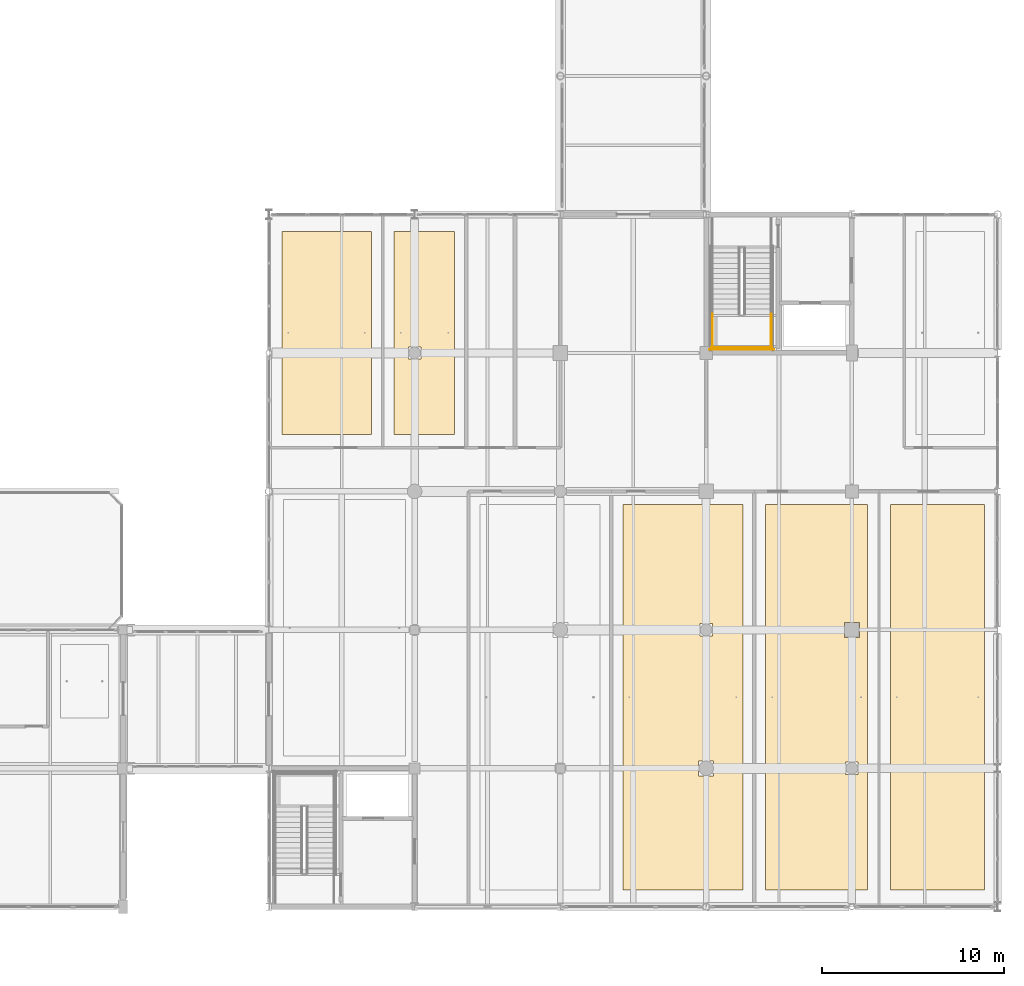
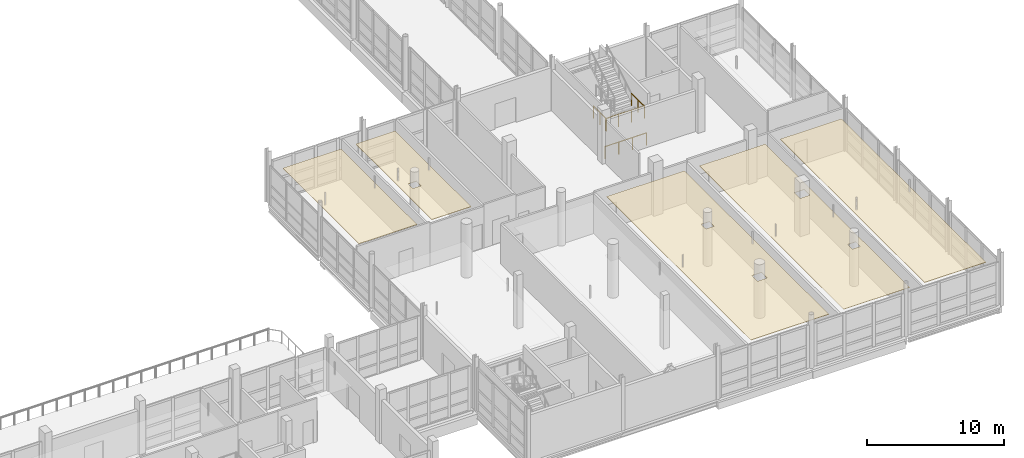
# One storey, part 143 of 147: 5 coverings, 4 railings.
"""IFC4 building model written with IfcOpenShell, lengths in metres."""

from ifc_helpers import new_model, si_unit, direction, frame, origin, origin_2d, place, context, subcontext, project, spatial, polyline, circle, outline, extrude, material, layer, layer_set, type_object, element, save


model = new_model("IFC4")

# Units and contexts
model_context = context("Model", 3, precision=1e-05, world=origin(), true_north=direction((0.0, 1.0)))
body_context = subcontext(model_context, "Body", "Model", "MODEL_VIEW")
ifc_project = project(units=[si_unit("LENGTHUNIT", "METRE"), si_unit("AREAUNIT", "SQUARE_METRE"), si_unit("VOLUMEUNIT", "CUBIC_METRE"), si_unit("PLANEANGLEUNIT", "RADIAN"), si_unit("MASSUNIT", "GRAM", prefix="KILO")], contexts=[model_context])

# Site, building, storey
site_placement = place(None, origin())
site = spatial("IfcSite", under=ifc_project, at=site_placement, CompositionType="ELEMENT")
building_placement = place(site_placement, origin())
building = spatial("IfcBuilding", under=site, at=building_placement, Name="Khelvaren Railside Concert Hall", CompositionType="ELEMENT")
storey_placement = place(building_placement, frame((0.0, 0.0, 5.39990234375)))
storey = spatial("IfcBuildingStorey", under=building, at=storey_placement, Name="L01", CompositionType="ELEMENT", Elevation=5.39990234375)

# Coverings
ifc_material_1 = material(Name="Mineral-wool acoustic baffle ceiling", Category="gypsum")
ifc_layer_1 = layer(ifc_material_1, 0.0400390625)
ifc_layer_set_1 = layer_set([ifc_layer_1], Name="Mineral-wool acoustic baffle ceiling")
covering_type_1 = type_object("IfcCoveringType", Name="CLG20", PredefinedType="CEILING", material=ifc_layer_set_1)
covering_1_placement = place(storey_placement, frame((0.0, 0.0, 3.41015625)))
element("IfcCovering", 1, at=covering_1_placement, inside=storey, type_object=covering_type_1, Name="Suspended Acoustic Ceiling Live Foley and Dubbing Studio", PredefinedType="CEILING", context=body_context, shape_type="SweptSolid", body=[
    extrude(outline(polyline([(163.426025390625, 0.929931640625), (170.011962890625, 0.929931640625), (170.011962890625, 22.070068359375), (163.426025390625, 22.070068359375), (163.426025390625, 0.929931640625)]), holes=[polyline([(167.5849609375, 7.18505859375), (168.4150390625, 7.18505859375), (168.4150390625, 8.014892578125), (167.5849609375, 8.014892578125), (167.5849609375, 7.18505859375)]), polyline([(167.659912109375, 14.860107421875), (168.340087890625, 14.860107421875), (168.340087890625, 15.5400390625), (167.659912109375, 15.5400390625), (167.659912109375, 14.860107421875)])]), origin(), (0.0, 0.0, 1.0), 0.0400390625),
])
covering_2_placement = place(storey_placement, frame((0.0, 0.0, 3.41015625)))
element("IfcCovering", 2, at=covering_2_placement, inside=storey, type_object=covering_type_1, Name="Suspended Acoustic Ceiling Recording Engineers Lounge", PredefinedType="CEILING", context=body_context, shape_type="SweptSolid", body=[
    extrude(outline(polyline([(178.112060546875, 0.929931640625), (183.2900390625, 0.929931640625), (183.2900390625, 22.070068359375), (178.112060546875, 22.070068359375), (178.112060546875, 0.929931640625)])), origin(), (0.0, 0.0, 1.0), 0.0400390625),
])
covering_3_placement = place(storey_placement, frame((0.0, 0.0, 3.41015625)))
element("IfcCovering", 3, at=covering_3_placement, inside=storey, type_object=covering_type_1, Name="Suspended Acoustic Ceiling Acoustic Editing Room L01", PredefinedType="CEILING", context=body_context, shape_type="SweptSolid", body=[
    extrude(outline(polyline([(150.87890625, 25.929931640625), (154.196044921875, 25.929931640625), (154.196044921875, 37.070068359375), (150.87890625, 37.070068359375), (150.87890625, 25.929931640625)]), holes=[polyline([(151.659912109375, 30.06005859375), (152.340087890625, 30.06005859375), (152.340087890625, 30.739990234375), (151.659912109375, 30.739990234375), (151.659912109375, 30.06005859375)])]), origin(), (0.0, 0.0, 1.0), 0.0400390625),
])
ifc_material_2 = material(Name="Micro-perforated timber acoustic ceiling", Category="wood")
ifc_layer_2 = layer(ifc_material_2, 0.030029296875)
ifc_layer_set_2 = layer_set([ifc_layer_2], Name="Micro-perforated timber acoustic ceiling")
covering_type_2 = type_object("IfcCoveringType", Name="CLG77", PredefinedType="CEILING", material=ifc_layer_set_2)
covering_4_placement = place(storey_placement, frame((0.0, 0.0, 3.420166015625)))
element("IfcCovering", 4, at=covering_4_placement, inside=storey, type_object=covering_type_2, Name="Suspended Acoustic Ceiling Multichannel Mixing Suite B", PredefinedType="CEILING", context=body_context, shape_type="SweptSolid", body=[
    extrude(outline(polyline([(171.27197265625, 0.929931640625), (176.85205078125, 0.929931640625), (176.85205078125, 22.070068359375), (171.27197265625, 22.070068359375), (171.27197265625, 0.929931640625)]), holes=[polyline([(175.659912109375, 7.260009765625), (176.340087890625, 7.260009765625), (176.340087890625, 7.93994140625), (175.659912109375, 7.93994140625), (175.659912109375, 7.260009765625)]), polyline([(175.5849609375, 14.784912109375), (176.4150390625, 14.784912109375), (176.4150390625, 15.614990234375), (175.5849609375, 15.614990234375), (175.5849609375, 14.784912109375)])]), origin(), (0.0, 0.0, 1.0), 0.030029296875),
])
covering_5_placement = place(storey_placement, frame((0.0, 0.0, 3.420166015625)))
element("IfcCovering", 5, at=covering_5_placement, inside=storey, type_object=covering_type_2, Name="Suspended Acoustic Ceiling Chamber Recording Studio L01", PredefinedType="CEILING", context=body_context, shape_type="SweptSolid", body=[
    extrude(outline(polyline([(144.7099609375, 25.929931640625), (149.618896484375, 25.929931640625), (149.618896484375, 37.070068359375), (144.7099609375, 37.070068359375), (144.7099609375, 25.929931640625)])), origin(), (0.0, 0.0, 1.0), 0.030029296875),
])

# Railings
ifc_material_3 = material(Name="Painted architectural steel", Category="steel")
railing_type = type_object("IfcRailingType", Name="GRD86", PredefinedType="GUARDRAIL", material=ifc_material_3)
for number, where, name in (
    (6, (168.35009765625, 32.52001953125, 2.400146484375), "L01 ST-04 stair guard 3"),
    (7, (171.570068359375, 32.52001953125, 2.400146484375), "L01 ST-04 stair guard 4"),
):
    element("IfcRailing", number, at=place(storey_placement, frame(where)), inside=storey, type_object=railing_type, Name=name, PredefinedType="GUARDRAIL", context=body_context, shape_type="SweptSolid", body=[
        extrude(circle(Radius=0.02392578125, at=origin_2d()), frame((0.0, 0.0, 1.076171875), z_axis=(0.0, -1.0, 0.0), x_axis=(1.0, 0.0, 0.0)), (0.0, 0.0, 1.0), 1.880126953125),
        extrude(circle(Radius=0.02099609375, at=origin_2d()), origin(), (0.0, 0.0, 1.0), 1.052001953125),
        extrude(circle(Radius=0.02099609375, at=origin_2d()), frame((0.0, -0.93994140625, 0.0)), (0.0, 0.0, 1.0), 1.052001953125),
        extrude(circle(Radius=0.02099609375, at=origin_2d()), frame((0.0, -1.880126953125, 0.0)), (0.0, 0.0, 1.0), 1.052001953125),
    ])
railing_1_placement = place(storey_placement, frame((168.300048828125, 30.68994140625, 2.400146484375)))
element("IfcRailing", 8, at=railing_1_placement, inside=storey, type_object=railing_type, Name="L01 ST-04 stair guard 5", PredefinedType="GUARDRAIL", context=body_context, shape_type="SweptSolid", body=[
    extrude(circle(Radius=0.02392578125, at=origin_2d()), frame((0.0, 0.0, 1.076171875), z_axis=(1.0, 0.0, 0.0), x_axis=(0.0, 1.0, 0.0)), (0.0, 0.0, 1.0), 3.320068359375),
    extrude(circle(Radius=0.02099609375, at=origin_2d()), origin(), (0.0, 0.0, 1.0), 1.052001953125),
    extrude(circle(Radius=0.02099609375, at=origin_2d()), frame((1.106689453125, 0.0, 0.0)), (0.0, 0.0, 1.0), 1.052001953125),
    extrude(circle(Radius=0.02099609375, at=origin_2d()), frame((2.21337890625, 0.0, 0.0)), (0.0, 0.0, 1.0), 1.052001953125),
    extrude(circle(Radius=0.02099609375, at=origin_2d()), frame((3.320068359375, 0.0, 0.0)), (0.0, 0.0, 1.0), 1.052001953125),
])
railing_2_placement = place(storey_placement, frame((168.199951171875, 30.590087890625, 0.0)))
element("IfcRailing", 9, at=railing_2_placement, inside=storey, type_object=railing_type, Name="L01 ST-04 stair guard 12", PredefinedType="GUARDRAIL", context=body_context, shape_type="SweptSolid", body=[
    extrude(circle(Radius=0.02392578125, at=origin_2d()), frame((0.0, 0.0, 1.076171875), z_axis=(1.0, 0.0, 0.0), x_axis=(0.0, 1.0, 0.0)), (0.0, 0.0, 1.0), 3.52001953125),
    extrude(circle(Radius=0.02099609375, at=origin_2d()), origin(), (0.0, 0.0, 1.0), 1.052001953125),
    extrude(circle(Radius=0.02099609375, at=origin_2d()), frame((1.17333984375, 0.0, 0.0)), (0.0, 0.0, 1.0), 1.052001953125),
    extrude(circle(Radius=0.02099609375, at=origin_2d()), frame((2.3466796875, 0.0, 0.0)), (0.0, 0.0, 1.0), 1.052001953125),
    extrude(circle(Radius=0.02099609375, at=origin_2d()), frame((3.52001953125, 0.0, 0.0)), (0.0, 0.0, 1.0), 1.052001953125),
])

save(model, "model.ifc")
